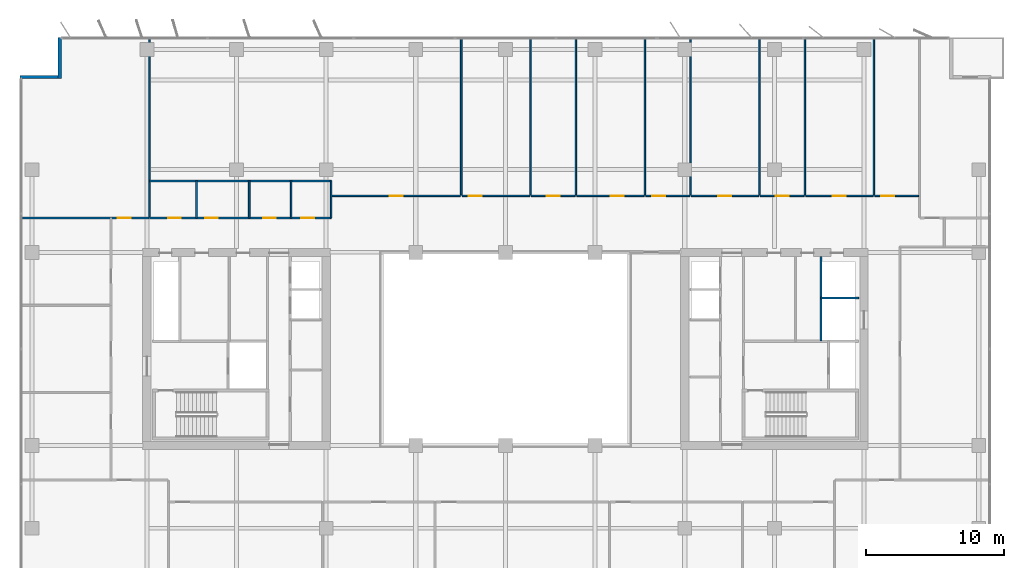
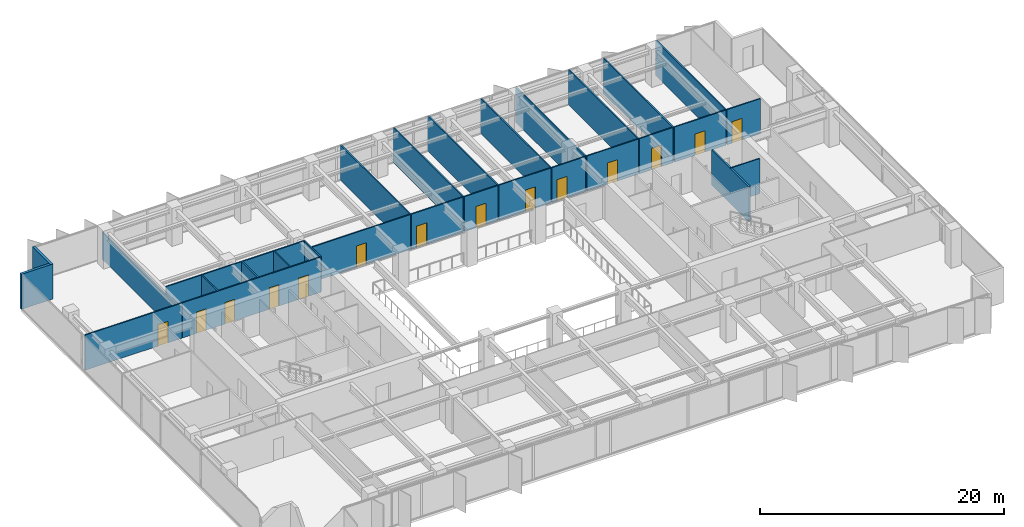
# One storey, part 17 of 22: 29 walls, 14 doors, 14 openings.
"""IFC4 building model written with IfcOpenShell, lengths in metres."""

from ifc_helpers import new_model, si_unit, direction, frame, frame_2d, origin, place, context, subcontext, project, spatial, rectangle, extrude, material, layer, layer_set, type_object, element, fill, save


model = new_model("IFC4")

# Units and contexts
model_context = context("Model", 3, precision=1e-05, world=origin(), true_north=direction((0.0, 1.0)))
body_context = subcontext(model_context, "Body", "Model", "MODEL_VIEW")
ifc_project = project(units=[si_unit("LENGTHUNIT", "METRE"), si_unit("AREAUNIT", "SQUARE_METRE"), si_unit("VOLUMEUNIT", "CUBIC_METRE"), si_unit("PLANEANGLEUNIT", "RADIAN"), si_unit("MASSUNIT", "GRAM", prefix="KILO")], contexts=[model_context])

# Site, building, storey
site_placement = place(None, origin())
site = spatial("IfcSite", under=ifc_project, at=site_placement, CompositionType="ELEMENT")
building_placement = place(site_placement, origin())
building = spatial("IfcBuilding", under=site, at=building_placement, Name="Putna Gate Headquarters", CompositionType="ELEMENT")
storey_placement = place(building_placement, frame((0.0, 0.0, 193.60009765625)))
storey = spatial("IfcBuildingStorey", under=building, at=storey_placement, Name="L48", CompositionType="ELEMENT", Elevation=193.60009765625)

# Walls
ifc_material_1 = material(Name="Precast concrete C40/50", Category="concrete")
ifc_layer_1 = layer(ifc_material_1, 0.239990234375)
ifc_layer_set_1 = layer_set([ifc_layer_1], Name="Precast concrete C40/50")
wall_type_1 = type_object("IfcWallType", Name="WALL-EXT-TERR-240", PredefinedType="STANDARD", material=ifc_layer_set_1)
for number, where, z_axis, x_axis, name in (
    (1, (6.679931640625, 45.60009765625, 0.0), (0.0, 0.0, 1.0), (0.0, 1.0, 0.0), "L48 Corner Notch Return Wall NW-V"),
    (2, (3.800048828125, 45.719970703125, 0.0), (0.0, 0.0, 1.0), (1.0, 0.0, 0.0), "L48 Corner Notch Return Wall NW-H"),
):
    element("IfcWall", number, at=place(storey_placement, frame(where, z_axis=z_axis, x_axis=x_axis)), inside=storey, type_object=wall_type_1, Name=name, PredefinedType="STANDARD", context=body_context, shape_type="SweptSolid", body=[
        extrude(rectangle(XDim=3.0, YDim=0.239990234375, at=frame_2d((1.5, 0.0))), origin(), (0.0, 0.0, 1.0), 3.52001953125),
    ])
ifc_material_2 = material(Name="Acoustic gypsum board on metal stud")
ifc_layer_2 = layer(ifc_material_2, 0.1201171875)
ifc_layer_set_2 = layer_set([ifc_layer_2], Name="Acoustic gypsum board on metal stud")
wall_type_2 = type_object("IfcWallType", Name="WALL-PART-120", PredefinedType="PARTITIONING", material=ifc_layer_set_2)
wall_1_placement = place(storey_placement, frame((13.199951171875, 35.56005859375, 0.0), z_axis=(0.0, 0.0, 1.0), x_axis=(0.0, 1.0, 0.0)))
element("IfcWall", 3, at=wall_1_placement, inside=storey, type_object=wall_type_2, Name="L48 Interior Wall PART-L48-NB-DIV-01", PredefinedType="PARTITIONING", context=body_context, shape_type="SweptSolid", body=[
    extrude(rectangle(XDim=13.02001953125, YDim=0.1201171875, at=frame_2d((6.510009765625, 0.0))), origin(), (0.0, 0.0, 1.0), 2.719970703125),
])
for number, where, z_axis, x_axis, name in (
    (4, (35.800048828125, 37.159912109375, 0.0), (0.0, 0.0, 1.0), (0.0, 1.0, 0.0), "L48 Interior Wall PART-L48-NB-DIV-02"),
    (5, (40.806396484375, 37.159912109375, 0.0), (0.0, 0.0, 1.0), (0.0, 1.0, 0.0), "L48 Interior Wall PART-L48-NB-DIV-03"),
    (6, (44.103515625, 37.159912109375, 0.0), (0.0, 0.0, 1.0), (0.0, 1.0, 0.0), "L48 Interior Wall PART-L48-NB-DIV-04"),
    (7, (49.10986328125, 37.159912109375, 0.0), (0.0, 0.0, 1.0), (0.0, 1.0, 0.0), "L48 Interior Wall PART-L48-NB-DIV-05"),
    (8, (52.40673828125, 37.159912109375, 0.0), (0.0, 0.0, 1.0), (0.0, 1.0, 0.0), "L48 Interior Wall PART-L48-NB-DIV-06"),
    (9, (57.4130859375, 37.159912109375, 0.0), (0.0, 0.0, 1.0), (0.0, 1.0, 0.0), "L48 Interior Wall PART-L48-NB-DIV-07"),
    (10, (60.710205078125, 37.159912109375, 0.0), (0.0, 0.0, 1.0), (0.0, 1.0, 0.0), "L48 Interior Wall PART-L48-NB-DIV-08"),
    (11, (65.716552734375, 37.159912109375, 0.0), (0.0, 0.0, 1.0), (0.0, 1.0, 0.0), "L48 Interior Wall PART-L48-NB-DIV-09"),
):
    element("IfcWall", number, at=place(storey_placement, frame(where, z_axis=z_axis, x_axis=x_axis)), inside=storey, type_object=wall_type_2, Name=name, PredefinedType="PARTITIONING", context=body_context, shape_type="SweptSolid", body=[
        extrude(rectangle(XDim=11.420166015625, YDim=0.1201171875, at=frame_2d((5.7099609375, 0.0))), origin(), (0.0, 0.0, 1.0), 3.52001953125),
    ])
ifc_material_3 = material(Name="Fire-rated shaftwall gypsum board on metal stud")
ifc_layer_3 = layer(ifc_material_3, 0.1201171875)
ifc_layer_set_3 = layer_set([ifc_layer_3], Name="Fire-rated shaftwall gypsum board on metal stud")
wall_type_3 = type_object("IfcWallType", Name="WALL-PART-120-EI120", PredefinedType="PARTITIONING", material=ifc_layer_set_3)
wall_2_placement = place(storey_placement, frame((61.8701171875, 29.699951171875, 0.0), z_axis=(0.0, 0.0, 1.0), x_axis=(1.0, 0.0, 0.0)))
element("IfcWall", 12, at=wall_2_placement, inside=storey, type_object=wall_type_3, Name="L48 Interior Wall CWINT-L48-EC-LF15-N", PredefinedType="PARTITIONING", context=body_context, shape_type="SweptSolid", body=[
    extrude(rectangle(XDim=2.72998046875, YDim=0.1201171875, at=frame_2d((1.364990234375, 0.0))), origin(), (0.0, 0.0, 1.0), 3.52001953125),
])

# Wall, openings, doors
ifc_material_4 = material(Name="Fire-rated gypsum board on metal stud")
ifc_layer_4 = layer(ifc_material_4, 0.1201171875)
ifc_layer_set_4 = layer_set([ifc_layer_4], Name="Fire-rated gypsum board on metal stud")
wall_type_4 = type_object("IfcWallType", Name="WALL-PART-120-RATED", PredefinedType="PARTITIONING", material=ifc_layer_set_4)
wall_3_placement = place(storey_placement, frame((13.199951171875, 35.5, 0.0), z_axis=(0.0, 0.0, 1.0), x_axis=(1.0, 0.0, 0.0)))
wall_3 = element("IfcWall", 13, at=wall_3_placement, inside=storey, type_object=wall_type_4, Name="L48 Interior Wall PART-L48-SAN-CW", PredefinedType="PARTITIONING", context=body_context, shape_type="SweptSolid", body=[
    extrude(rectangle(XDim=13.16015625, YDim=0.1201171875, at=frame_2d((6.580078125, 0.0))), origin(), (0.0, 0.0, 1.0), 3.52001953125),
])
opening_1_placement = place(wall_3_placement, frame((1.35009765625, 0.0, 0.0)))
opening_1 = element("IfcOpeningElement", 14, at=opening_1_placement, cuts=wall_3, Name="Opening FD-90", PredefinedType="OPENING", context=body_context, shape_type="SweptSolid", body=[
    extrude(rectangle(XDim=0.89990234375, YDim=2.14990234375, at=frame_2d((0.449951171875, 1.074951171875))), frame((0.0, 0.070068359375, 0.0), z_axis=(0.0, -1.0, 0.0), x_axis=(1.0, 0.0, 0.0)), (0.0, 0.0, 1.0), 0.14013671875),
])
opening_2_placement = place(wall_3_placement, frame((4.050048828125, 0.0, 0.0)))
opening_2 = element("IfcOpeningElement", 15, at=opening_2_placement, cuts=wall_3, Name="Opening FD-90", PredefinedType="OPENING", context=body_context, shape_type="SweptSolid", body=[
    extrude(rectangle(XDim=0.89990234375, YDim=2.14990234375, at=frame_2d((0.449951171875, 1.074951171875))), frame((0.0, 0.070068359375, 0.0), z_axis=(0.0, -1.0, 0.0), x_axis=(1.0, 0.0, 0.0)), (0.0, 0.0, 1.0), 0.14013671875),
])
opening_3_placement = place(wall_3_placement, frame((8.25, 0.0, 0.0)))
opening_3 = element("IfcOpeningElement", 16, at=opening_3_placement, cuts=wall_3, Name="Opening FD-90", PredefinedType="OPENING", context=body_context, shape_type="SweptSolid", body=[
    extrude(rectangle(XDim=0.89990234375, YDim=2.14990234375, at=frame_2d((0.449951171875, 1.074951171875))), frame((0.0, 0.070068359375, 0.0), z_axis=(0.0, -1.0, 0.0), x_axis=(1.0, 0.0, 0.0)), (0.0, 0.0, 1.0), 0.14013671875),
])
opening_4_placement = place(wall_3_placement, frame((11.0, 0.0, 0.0)))
opening_4 = element("IfcOpeningElement", 17, at=opening_4_placement, cuts=wall_3, Name="Opening FD-95", PredefinedType="OPENING", context=body_context, shape_type="SweptSolid", body=[
    extrude(rectangle(XDim=0.949951171875, YDim=2.14990234375, at=frame_2d((0.47509765625, 1.074951171875))), frame((0.0, 0.070068359375, 0.0), z_axis=(0.0, -1.0, 0.0), x_axis=(1.0, 0.0, 0.0)), (0.0, 0.0, 1.0), 0.14013671875),
])
ifc_material_5 = material(Name="Acoustic washroom fire door")
door_type_1 = type_object("IfcDoorType", Name="DOOR-FIRE-900", OperationType="NOTDEFINED", PredefinedType="DOOR", material=ifc_material_5)
door_1_placement = place(opening_1_placement, origin())
door_1 = element("IfcDoor", 18, at=door_1_placement, inside=storey, type_object=door_type_1, Name="L48 Washroom Male Door", OperationType="SINGLE_SWING_RIGHT", OverallHeight=2.14990234375, OverallWidth=0.89990234375, PredefinedType="DOOR", context=body_context, shape_type="SweptSolid", body=[
    extrude(rectangle(XDim=0.89990234375, YDim=2.14990234375, at=frame_2d((0.449951171875, 1.074951171875))), frame((0.0, 0.02490234375, 0.0), z_axis=(0.0, -1.0, 0.0), x_axis=(1.0, 0.0, 0.0)), (0.0, 0.0, 1.0), 0.050048828125),
])
fill(opening_1, door_1)
door_2_placement = place(opening_2_placement, origin())
door_2 = element("IfcDoor", 19, at=door_2_placement, inside=storey, type_object=door_type_1, Name="L48 Washroom Female Door", OperationType="SINGLE_SWING_LEFT", OverallHeight=2.14990234375, OverallWidth=0.89990234375, PredefinedType="DOOR", context=body_context, shape_type="SweptSolid", body=[
    extrude(rectangle(XDim=0.89990234375, YDim=2.14990234375, at=frame_2d((0.449951171875, 1.074951171875))), frame((0.0, 0.02490234375, 0.0), z_axis=(0.0, -1.0, 0.0), x_axis=(1.0, 0.0, 0.0)), (0.0, 0.0, 1.0), 0.050048828125),
])
fill(opening_2, door_2)
door_3_placement = place(opening_3_placement, origin())
door_3 = element("IfcDoor", 20, at=door_3_placement, inside=storey, type_object=door_type_1, Name="L48 Accessible WC Door", OperationType="SINGLE_SWING_RIGHT", OverallHeight=2.14990234375, OverallWidth=0.89990234375, PredefinedType="DOOR", context=body_context, shape_type="SweptSolid", body=[
    extrude(rectangle(XDim=0.89990234375, YDim=2.14990234375, at=frame_2d((0.449951171875, 1.074951171875))), frame((0.0, 0.02490234375, 0.0), z_axis=(0.0, -1.0, 0.0), x_axis=(1.0, 0.0, 0.0)), (0.0, 0.0, 1.0), 0.050048828125),
])
fill(opening_3, door_3)
ifc_material_6 = material(Name="Acoustic timber fire door", Category="wood")
door_type_2 = type_object("IfcDoorType", Name="DOOR-FIRE-950", OperationType="NOTDEFINED", PredefinedType="DOOR", material=ifc_material_6)
door_4_placement = place(opening_4_placement, origin())
door_4 = element("IfcDoor", 21, at=door_4_placement, inside=storey, type_object=door_type_2, Name="L48 Staff Pantry and Tea Point Door", OperationType="SINGLE_SWING_LEFT", OverallHeight=2.14990234375, OverallWidth=0.949951171875, PredefinedType="DOOR", context=body_context, shape_type="SweptSolid", body=[
    extrude(rectangle(XDim=0.949951171875, YDim=2.14990234375, at=frame_2d((0.47509765625, 1.074951171875))), frame((0.0, 0.02490234375, 0.0), z_axis=(0.0, -1.0, 0.0), x_axis=(1.0, 0.0, 0.0)), (0.0, 0.0, 1.0), 0.050048828125),
])
fill(opening_4, door_4)

# Walls
wall_4_placement = place(storey_placement, frame((13.199951171875, 38.179931640625, 0.0), z_axis=(0.0, 0.0, 1.0), x_axis=(1.0, 0.0, 0.0)))
element("IfcWall", 22, at=wall_4_placement, inside=storey, type_object=wall_type_4, Name="L48 Interior Wall PART-L48-SAN-BACK", PredefinedType="PARTITIONING", context=body_context, shape_type="SweptSolid", body=[
    extrude(rectangle(XDim=13.16015625, YDim=0.1201171875, at=frame_2d((6.580078125, 0.0))), origin(), (0.0, 0.0, 1.0), 3.52001953125),
])
for number, where, z_axis, x_axis, name in (
    (23, (16.60009765625, 35.5, 0.0), (0.0, 0.0, 1.0), (0.0, 1.0, 0.0), "L48 Interior Wall PART-L48-SAN-DIV-1"),
    (24, (20.419921875, 35.5, 0.0), (0.0, 0.0, 1.0), (0.0, 1.0, 0.0), "L48 Interior Wall PART-L48-SAN-DIV-2"),
    (25, (23.4599609375, 35.5, 0.0), (0.0, 0.0, 1.0), (0.0, 1.0, 0.0), "L48 Interior Wall PART-L48-SAN-DIV-3"),
    (26, (26.360107421875, 35.5, 0.0), (0.0, 0.0, 1.0), (0.0, 1.0, 0.0), "L48 Interior Wall PART-L48-SAN-DIV-4"),
):
    element("IfcWall", number, at=place(storey_placement, frame(where, z_axis=z_axis, x_axis=x_axis)), inside=storey, type_object=wall_type_4, Name=name, PredefinedType="PARTITIONING", context=body_context, shape_type="SweptSolid", body=[
        extrude(rectangle(XDim=2.679931640625, YDim=0.1201171875, at=frame_2d((1.33984375, 0.0))), origin(), (0.0, 0.0, 1.0), 3.52001953125),
    ])

# Wall, opening, door
wall_5_placement = place(storey_placement, frame((3.97998046875, 35.5, 0.0), z_axis=(0.0, 0.0, 1.0), x_axis=(1.0, 0.0, 0.0)))
wall_5 = element("IfcWall", 27, at=wall_5_placement, inside=storey, type_object=wall_type_4, Name="L48 Interior Wall PART-L48-NB-CW-01", PredefinedType="PARTITIONING", context=body_context, shape_type="SweptSolid", body=[
    extrude(rectangle(XDim=9.159912109375, YDim=0.1201171875, at=frame_2d((4.580078125, 0.0))), origin(), (0.0, 0.0, 1.0), 3.52001953125),
])
opening_5_placement = place(wall_5_placement, frame((6.89990234375, 0.0, 0.0)))
opening_5 = element("IfcOpeningElement", 28, at=opening_5_placement, cuts=wall_5, Name="Opening FD-95", PredefinedType="OPENING", context=body_context, shape_type="SweptSolid", body=[
    extrude(rectangle(XDim=0.949951171875, YDim=2.14990234375, at=frame_2d((0.47509765625, 1.074951171875))), frame((0.0, 0.070068359375, 0.0), z_axis=(0.0, -1.0, 0.0), x_axis=(1.0, 0.0, 0.0)), (0.0, 0.0, 1.0), 0.14013671875),
])
door_5_placement = place(opening_5_placement, origin())
door_5 = element("IfcDoor", 29, at=door_5_placement, inside=storey, type_object=door_type_2, Name="L48 Conference Meeting Room 3 Door", OperationType="SINGLE_SWING_RIGHT", OverallHeight=2.14990234375, OverallWidth=0.949951171875, PredefinedType="DOOR", context=body_context, shape_type="SweptSolid", body=[
    extrude(rectangle(XDim=0.949951171875, YDim=2.14990234375, at=frame_2d((0.47509765625, 1.074951171875))), frame((0.0, 0.02490234375, 0.0), z_axis=(0.0, -1.0, 0.0), x_axis=(1.0, 0.0, 0.0)), (0.0, 0.0, 1.0), 0.050048828125),
])
fill(opening_5, door_5)

wall_6_placement = place(storey_placement, frame((26.419921875, 37.10009765625, 0.0), z_axis=(0.0, 0.0, 1.0), x_axis=(1.0, 0.0, 0.0)))
wall_6 = element("IfcWall", 30, at=wall_6_placement, inside=storey, type_object=wall_type_4, Name="L48 Interior Wall PART-L48-NB-CW-02", PredefinedType="PARTITIONING", context=body_context, shape_type="SweptSolid", body=[
    extrude(rectangle(XDim=9.320068359375, YDim=0.1201171875, at=frame_2d((4.66015625, 0.0))), origin(), (0.0, 0.0, 1.0), 3.52001953125),
])
opening_6_placement = place(wall_6_placement, frame((4.18505859375, 0.0, 0.0)))
opening_6 = element("IfcOpeningElement", 31, at=opening_6_placement, cuts=wall_6, Name="Opening FD-95", PredefinedType="OPENING", context=body_context, shape_type="SweptSolid", body=[
    extrude(rectangle(XDim=0.949951171875, YDim=2.14990234375, at=frame_2d((0.47509765625, 1.074951171875))), frame((0.0, 0.070068359375, 0.0), z_axis=(0.0, -1.0, 0.0), x_axis=(1.0, 0.0, 0.0)), (0.0, 0.0, 1.0), 0.14013671875),
])
door_6_placement = place(opening_6_placement, origin())
door_6 = element("IfcDoor", 32, at=door_6_placement, inside=storey, type_object=door_type_2, Name="L48 Primary Open Office Workplace Door", OperationType="SINGLE_SWING_LEFT", OverallHeight=2.14990234375, OverallWidth=0.949951171875, PredefinedType="DOOR", context=body_context, shape_type="SweptSolid", body=[
    extrude(rectangle(XDim=0.949951171875, YDim=2.14990234375, at=frame_2d((0.47509765625, 1.074951171875))), frame((0.0, 0.02490234375, 0.0), z_axis=(0.0, -1.0, 0.0), x_axis=(1.0, 0.0, 0.0)), (0.0, 0.0, 1.0), 0.050048828125),
])
fill(opening_6, door_6)

wall_7_placement = place(storey_placement, frame((35.860107421875, 37.10009765625, 0.0), z_axis=(0.0, 0.0, 1.0), x_axis=(1.0, 0.0, 0.0)))
wall_7 = element("IfcWall", 33, at=wall_7_placement, inside=storey, type_object=wall_type_4, Name="L48 Interior Wall PART-L48-NB-CW-03", PredefinedType="PARTITIONING", context=body_context, shape_type="SweptSolid", body=[
    extrude(rectangle(XDim=4.886474609375, YDim=0.1201171875, at=frame_2d((2.443359375, 0.0))), origin(), (0.0, 0.0, 1.0), 3.52001953125),
])
opening_7_placement = place(wall_7_placement, frame((0.47998046875, 0.0, 0.0)))
opening_7 = element("IfcOpeningElement", 34, at=opening_7_placement, cuts=wall_7, Name="Opening FD-95", PredefinedType="OPENING", context=body_context, shape_type="SweptSolid", body=[
    extrude(rectangle(XDim=0.949951171875, YDim=2.14990234375, at=frame_2d((0.47509765625, 1.074951171875))), frame((0.0, 0.070068359375, 0.0), z_axis=(0.0, -1.0, 0.0), x_axis=(1.0, 0.0, 0.0)), (0.0, 0.0, 1.0), 0.14013671875),
])
door_7_placement = place(opening_7_placement, origin())
door_7 = element("IfcDoor", 35, at=door_7_placement, inside=storey, type_object=door_type_2, Name="L48 Collaborative Breakout Lounge 1 Door", OperationType="SINGLE_SWING_RIGHT", OverallHeight=2.14990234375, OverallWidth=0.949951171875, PredefinedType="DOOR", context=body_context, shape_type="SweptSolid", body=[
    extrude(rectangle(XDim=0.949951171875, YDim=2.14990234375, at=frame_2d((0.47509765625, 1.074951171875))), frame((0.0, 0.02490234375, 0.0), z_axis=(0.0, -1.0, 0.0), x_axis=(1.0, 0.0, 0.0)), (0.0, 0.0, 1.0), 0.050048828125),
])
fill(opening_7, door_7)

wall_8_placement = place(storey_placement, frame((40.866455078125, 37.10009765625, 0.0), z_axis=(0.0, 0.0, 1.0), x_axis=(1.0, 0.0, 0.0)))
wall_8 = element("IfcWall", 36, at=wall_8_placement, inside=storey, type_object=wall_type_4, Name="L48 Interior Wall PART-L48-NB-CW-04", PredefinedType="PARTITIONING", context=body_context, shape_type="SweptSolid", body=[
    extrude(rectangle(XDim=3.177001953125, YDim=0.1201171875, at=frame_2d((1.58837890625, 0.0))), origin(), (0.0, 0.0, 1.0), 3.52001953125),
])
opening_8_placement = place(wall_8_placement, frame((1.11328125, 0.0, 0.0)))
opening_8 = element("IfcOpeningElement", 37, at=opening_8_placement, cuts=wall_8, Name="Opening FD-95", PredefinedType="OPENING", context=body_context, shape_type="SweptSolid", body=[
    extrude(rectangle(XDim=0.949951171875, YDim=2.14990234375, at=frame_2d((0.47509765625, 1.074951171875))), frame((0.0, 0.070068359375, 0.0), z_axis=(0.0, -1.0, 0.0), x_axis=(1.0, 0.0, 0.0)), (0.0, 0.0, 1.0), 0.14013671875),
])
door_8_placement = place(opening_8_placement, origin())
door_8 = element("IfcDoor", 38, at=door_8_placement, inside=storey, type_object=door_type_2, Name="L48 Collaborative Breakout Lounge 2 Door", OperationType="SINGLE_SWING_LEFT", OverallHeight=2.14990234375, OverallWidth=0.949951171875, PredefinedType="DOOR", context=body_context, shape_type="SweptSolid", body=[
    extrude(rectangle(XDim=0.949951171875, YDim=2.14990234375, at=frame_2d((0.47509765625, 1.074951171875))), frame((0.0, 0.02490234375, 0.0), z_axis=(0.0, -1.0, 0.0), x_axis=(1.0, 0.0, 0.0)), (0.0, 0.0, 1.0), 0.050048828125),
])
fill(opening_8, door_8)

wall_9_placement = place(storey_placement, frame((44.163330078125, 37.10009765625, 0.0), z_axis=(0.0, 0.0, 1.0), x_axis=(1.0, 0.0, 0.0)))
wall_9 = element("IfcWall", 39, at=wall_9_placement, inside=storey, type_object=wall_type_4, Name="L48 Interior Wall PART-L48-NB-CW-05", PredefinedType="PARTITIONING", context=body_context, shape_type="SweptSolid", body=[
    extrude(rectangle(XDim=4.886474609375, YDim=0.1201171875, at=frame_2d((2.443359375, 0.0))), origin(), (0.0, 0.0, 1.0), 3.52001953125),
])
opening_9_placement = place(wall_9_placement, frame((2.470458984375, 0.0, 0.0)))
opening_9 = element("IfcOpeningElement", 40, at=opening_9_placement, cuts=wall_9, Name="Opening FD-95", PredefinedType="OPENING", context=body_context, shape_type="SweptSolid", body=[
    extrude(rectangle(XDim=0.949951171875, YDim=2.14990234375, at=frame_2d((0.47509765625, 1.074951171875))), frame((0.0, 0.070068359375, 0.0), z_axis=(0.0, -1.0, 0.0), x_axis=(1.0, 0.0, 0.0)), (0.0, 0.0, 1.0), 0.14013671875),
])
door_9_placement = place(opening_9_placement, origin())
door_9 = element("IfcDoor", 41, at=door_9_placement, inside=storey, type_object=door_type_2, Name="L48 Quiet Wellness Focus Studio 1 Door", OperationType="SINGLE_SWING_RIGHT", OverallHeight=2.14990234375, OverallWidth=0.949951171875, PredefinedType="DOOR", context=body_context, shape_type="SweptSolid", body=[
    extrude(rectangle(XDim=0.949951171875, YDim=2.14990234375, at=frame_2d((0.47509765625, 1.074951171875))), frame((0.0, 0.02490234375, 0.0), z_axis=(0.0, -1.0, 0.0), x_axis=(1.0, 0.0, 0.0)), (0.0, 0.0, 1.0), 0.050048828125),
])
fill(opening_9, door_9)

wall_10_placement = place(storey_placement, frame((49.169921875, 37.10009765625, 0.0), z_axis=(0.0, 0.0, 1.0), x_axis=(1.0, 0.0, 0.0)))
wall_10 = element("IfcWall", 42, at=wall_10_placement, inside=storey, type_object=wall_type_4, Name="L48 Interior Wall PART-L48-NB-CW-06", PredefinedType="PARTITIONING", context=body_context, shape_type="SweptSolid", body=[
    extrude(rectangle(XDim=3.1767578125, YDim=0.1201171875, at=frame_2d((1.58837890625, 0.0))), origin(), (0.0, 0.0, 1.0), 3.52001953125),
])
opening_10_placement = place(wall_10_placement, frame((0.47998046875, 0.0, 0.0)))
opening_10 = element("IfcOpeningElement", 43, at=opening_10_placement, cuts=wall_10, Name="Opening FD-95", PredefinedType="OPENING", context=body_context, shape_type="SweptSolid", body=[
    extrude(rectangle(XDim=0.949951171875, YDim=2.14990234375, at=frame_2d((0.47509765625, 1.074951171875))), frame((0.0, 0.070068359375, 0.0), z_axis=(0.0, -1.0, 0.0), x_axis=(1.0, 0.0, 0.0)), (0.0, 0.0, 1.0), 0.14013671875),
])
door_10_placement = place(opening_10_placement, origin())
door_10 = element("IfcDoor", 44, at=door_10_placement, inside=storey, type_object=door_type_2, Name="L48 Quiet Wellness Focus Studio 2 Door", OperationType="SINGLE_SWING_LEFT", OverallHeight=2.14990234375, OverallWidth=0.949951171875, PredefinedType="DOOR", context=body_context, shape_type="SweptSolid", body=[
    extrude(rectangle(XDim=0.949951171875, YDim=2.14990234375, at=frame_2d((0.47509765625, 1.074951171875))), frame((0.0, 0.02490234375, 0.0), z_axis=(0.0, -1.0, 0.0), x_axis=(1.0, 0.0, 0.0)), (0.0, 0.0, 1.0), 0.050048828125),
])
fill(opening_10, door_10)

wall_11_placement = place(storey_placement, frame((52.466796875, 37.10009765625, 0.0), z_axis=(0.0, 0.0, 1.0), x_axis=(1.0, 0.0, 0.0)))
wall_11 = element("IfcWall", 45, at=wall_11_placement, inside=storey, type_object=wall_type_4, Name="L48 Interior Wall PART-L48-NB-CW-07", PredefinedType="PARTITIONING", context=body_context, shape_type="SweptSolid", body=[
    extrude(rectangle(XDim=4.886474609375, YDim=0.1201171875, at=frame_2d((2.443359375, 0.0))), origin(), (0.0, 0.0, 1.0), 3.52001953125),
])
opening_11_placement = place(wall_11_placement, frame((1.96826171875, 0.0, 0.0)))
opening_11 = element("IfcOpeningElement", 46, at=opening_11_placement, cuts=wall_11, Name="Opening FD-95", PredefinedType="OPENING", context=body_context, shape_type="SweptSolid", body=[
    extrude(rectangle(XDim=0.949951171875, YDim=2.14990234375, at=frame_2d((0.47509765625, 1.074951171875))), frame((0.0, 0.070068359375, 0.0), z_axis=(0.0, -1.0, 0.0), x_axis=(1.0, 0.0, 0.0)), (0.0, 0.0, 1.0), 0.14013671875),
])
door_11_placement = place(opening_11_placement, origin())
door_11 = element("IfcDoor", 47, at=door_11_placement, inside=storey, type_object=door_type_2, Name="L48 Quiet Wellness Focus Studio 3 Door", OperationType="SINGLE_SWING_RIGHT", OverallHeight=2.14990234375, OverallWidth=0.949951171875, PredefinedType="DOOR", context=body_context, shape_type="SweptSolid", body=[
    extrude(rectangle(XDim=0.949951171875, YDim=2.14990234375, at=frame_2d((0.47509765625, 1.074951171875))), frame((0.0, 0.02490234375, 0.0), z_axis=(0.0, -1.0, 0.0), x_axis=(1.0, 0.0, 0.0)), (0.0, 0.0, 1.0), 0.050048828125),
])
fill(opening_11, door_11)

wall_12_placement = place(storey_placement, frame((57.47314453125, 37.10009765625, 0.0), z_axis=(0.0, 0.0, 1.0), x_axis=(1.0, 0.0, 0.0)))
wall_12 = element("IfcWall", 48, at=wall_12_placement, inside=storey, type_object=wall_type_4, Name="L48 Interior Wall PART-L48-NB-CW-08", PredefinedType="PARTITIONING", context=body_context, shape_type="SweptSolid", body=[
    extrude(rectangle(XDim=3.177001953125, YDim=0.1201171875, at=frame_2d((1.58837890625, 0.0))), origin(), (0.0, 0.0, 1.0), 3.52001953125),
])
opening_12_placement = place(wall_12_placement, frame((1.113525390625, 0.0, 0.0)))
opening_12 = element("IfcOpeningElement", 49, at=opening_12_placement, cuts=wall_12, Name="Opening FD-95", PredefinedType="OPENING", context=body_context, shape_type="SweptSolid", body=[
    extrude(rectangle(XDim=0.949951171875, YDim=2.14990234375, at=frame_2d((0.47509765625, 1.074951171875))), frame((0.0, 0.070068359375, 0.0), z_axis=(0.0, -1.0, 0.0), x_axis=(1.0, 0.0, 0.0)), (0.0, 0.0, 1.0), 0.14013671875),
])
door_12_placement = place(opening_12_placement, origin())
door_12 = element("IfcDoor", 50, at=door_12_placement, inside=storey, type_object=door_type_2, Name="L48 Cellular Office 1 Door", OperationType="SINGLE_SWING_LEFT", OverallHeight=2.14990234375, OverallWidth=0.949951171875, PredefinedType="DOOR", context=body_context, shape_type="SweptSolid", body=[
    extrude(rectangle(XDim=0.949951171875, YDim=2.14990234375, at=frame_2d((0.47509765625, 1.074951171875))), frame((0.0, 0.02490234375, 0.0), z_axis=(0.0, -1.0, 0.0), x_axis=(1.0, 0.0, 0.0)), (0.0, 0.0, 1.0), 0.050048828125),
])
fill(opening_12, door_12)

wall_13_placement = place(storey_placement, frame((60.770263671875, 37.10009765625, 0.0), z_axis=(0.0, 0.0, 1.0), x_axis=(1.0, 0.0, 0.0)))
wall_13 = element("IfcWall", 51, at=wall_13_placement, inside=storey, type_object=wall_type_4, Name="L48 Interior Wall PART-L48-NB-CW-09", PredefinedType="PARTITIONING", context=body_context, shape_type="SweptSolid", body=[
    extrude(rectangle(XDim=4.88623046875, YDim=0.1201171875, at=frame_2d((2.443115234375, 0.0))), origin(), (0.0, 0.0, 1.0), 3.52001953125),
])
opening_13_placement = place(wall_13_placement, frame((1.96826171875, 0.0, 0.0)))
opening_13 = element("IfcOpeningElement", 52, at=opening_13_placement, cuts=wall_13, Name="Opening FD-95", PredefinedType="OPENING", context=body_context, shape_type="SweptSolid", body=[
    extrude(rectangle(XDim=0.949951171875, YDim=2.14990234375, at=frame_2d((0.47509765625, 1.074951171875))), frame((0.0, 0.070068359375, 0.0), z_axis=(0.0, -1.0, 0.0), x_axis=(1.0, 0.0, 0.0)), (0.0, 0.0, 1.0), 0.14013671875),
])
door_13_placement = place(opening_13_placement, origin())
door_13 = element("IfcDoor", 53, at=door_13_placement, inside=storey, type_object=door_type_2, Name="L48 Cellular Office 2 Door", OperationType="SINGLE_SWING_RIGHT", OverallHeight=2.14990234375, OverallWidth=0.949951171875, PredefinedType="DOOR", context=body_context, shape_type="SweptSolid", body=[
    extrude(rectangle(XDim=0.949951171875, YDim=2.14990234375, at=frame_2d((0.47509765625, 1.074951171875))), frame((0.0, 0.02490234375, 0.0), z_axis=(0.0, -1.0, 0.0), x_axis=(1.0, 0.0, 0.0)), (0.0, 0.0, 1.0), 0.050048828125),
])
fill(opening_13, door_13)

wall_14_placement = place(storey_placement, frame((65.776611328125, 37.10009765625, 0.0), z_axis=(0.0, 0.0, 1.0), x_axis=(1.0, 0.0, 0.0)))
wall_14 = element("IfcWall", 54, at=wall_14_placement, inside=storey, type_object=wall_type_4, Name="L48 Interior Wall PART-L48-NB-CW-10", PredefinedType="PARTITIONING", context=body_context, shape_type="SweptSolid", body=[
    extrude(rectangle(XDim=3.177001953125, YDim=0.1201171875, at=frame_2d((1.58837890625, 0.0))), origin(), (0.0, 0.0, 1.0), 3.52001953125),
])
opening_14_placement = place(wall_14_placement, frame((0.47998046875, 0.0, 0.0)))
opening_14 = element("IfcOpeningElement", 55, at=opening_14_placement, cuts=wall_14, Name="Opening FD-95", PredefinedType="OPENING", context=body_context, shape_type="SweptSolid", body=[
    extrude(rectangle(XDim=0.949951171875, YDim=2.14990234375, at=frame_2d((0.47509765625, 1.074951171875))), frame((0.0, 0.070068359375, 0.0), z_axis=(0.0, -1.0, 0.0), x_axis=(1.0, 0.0, 0.0)), (0.0, 0.0, 1.0), 0.14013671875),
])
door_14_placement = place(opening_14_placement, origin())
door_14 = element("IfcDoor", 56, at=door_14_placement, inside=storey, type_object=door_type_2, Name="L48 Cellular Office 3 Door", OperationType="SINGLE_SWING_LEFT", OverallHeight=2.14990234375, OverallWidth=0.949951171875, PredefinedType="DOOR", context=body_context, shape_type="SweptSolid", body=[
    extrude(rectangle(XDim=0.949951171875, YDim=2.14990234375, at=frame_2d((0.47509765625, 1.074951171875))), frame((0.0, 0.02490234375, 0.0), z_axis=(0.0, -1.0, 0.0), x_axis=(1.0, 0.0, 0.0)), (0.0, 0.0, 1.0), 0.050048828125),
])
fill(opening_14, door_14)

# Wall
ifc_material_7 = material(Name="Concrete C40/50", Category="concrete")
ifc_layer_5 = layer(ifc_material_7, 0.159912109375)
ifc_layer_set_5 = layer_set([ifc_layer_5], Name="Concrete C40/50")
wall_type_5 = type_object("IfcWallType", Name="WALL-SHAFT-160", PredefinedType="STANDARD", material=ifc_layer_set_5)
wall_15_placement = place(storey_placement, frame((61.8701171875, 26.56005859375, 0.0), z_axis=(0.0, 0.0, 1.0), x_axis=(0.0, 1.0, 0.0)))
element("IfcWall", 57, at=wall_15_placement, inside=storey, type_object=wall_type_5, Name="L48 Interior Wall CWINT-L48-EC-LF15-W", PredefinedType="STANDARD", context=body_context, shape_type="SweptSolid", body=[
    extrude(rectangle(XDim=6.139892578125, YDim=0.159912109375, at=frame_2d((3.06982421875, 0.0))), origin(), (0.0, 0.0, 1.0), 3.52001953125),
])

save(model, "model.ifc")
